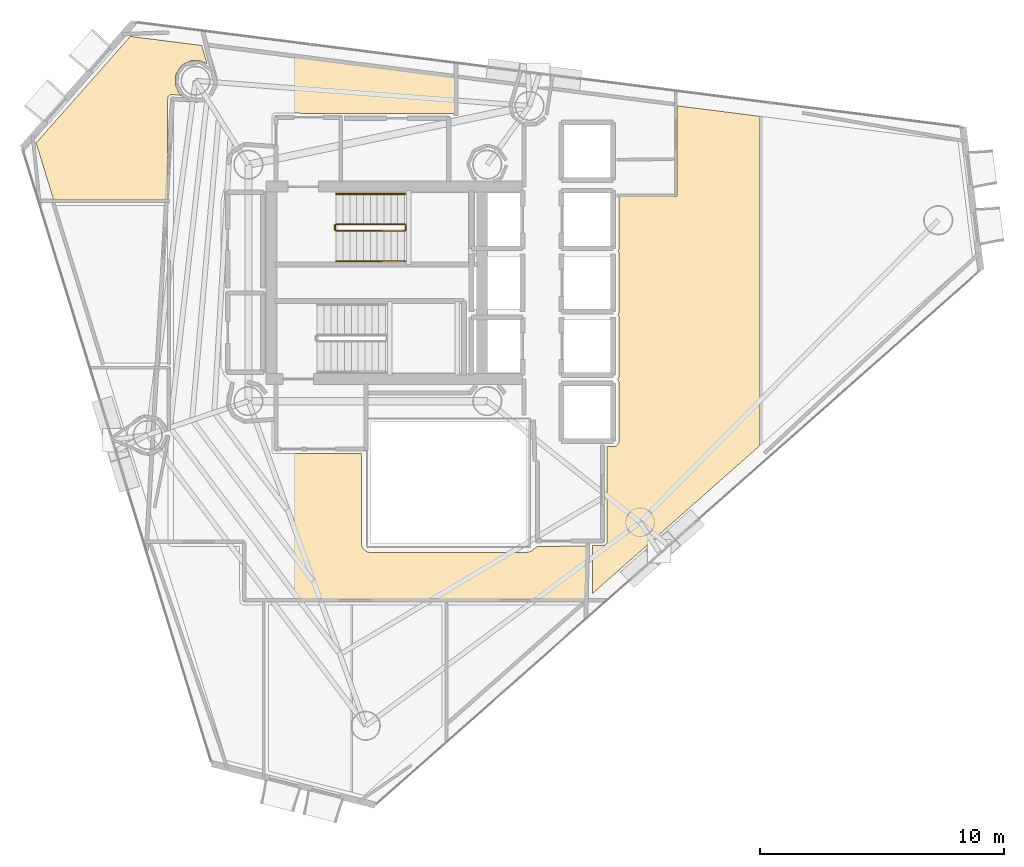
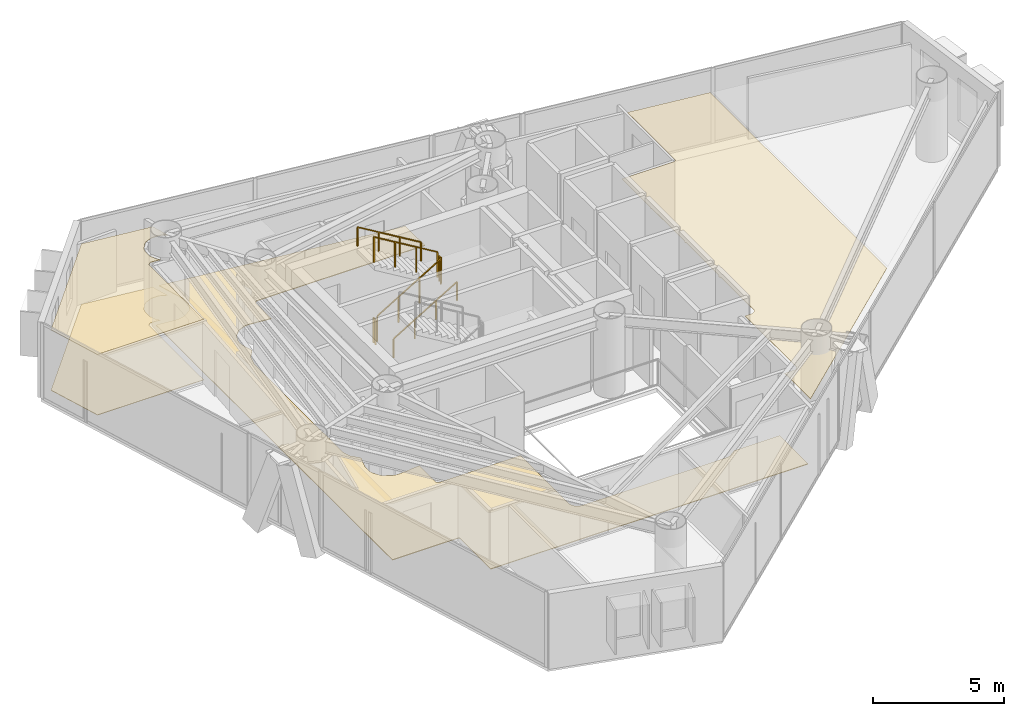
# One storey, part 22 of 23: 6 railings, 4 coverings.
"""IFC4 building model written with IfcOpenShell, lengths in metres."""

from ifc_helpers import new_model, si_unit, direction, frame, origin, origin_2d, place, context, subcontext, project, spatial, polyline, rectangle, outline, extrude, material, layer, layer_set, type_object, element, save


model = new_model("IFC4")

# Units and contexts
model_context = context("Model", 3, precision=1e-05, world=origin(), true_north=direction((0.0, 1.0)))
body_context = subcontext(model_context, "Body", "Model", "MODEL_VIEW")
ifc_project = project(units=[si_unit("LENGTHUNIT", "METRE"), si_unit("AREAUNIT", "SQUARE_METRE"), si_unit("VOLUMEUNIT", "CUBIC_METRE"), si_unit("PLANEANGLEUNIT", "RADIAN"), si_unit("MASSUNIT", "GRAM", prefix="KILO")], contexts=[model_context])

# Site, building, storey
site_placement = place(None, origin())
site = spatial("IfcSite", under=ifc_project, at=site_placement, CompositionType="ELEMENT")
building_placement = place(site_placement, origin())
building = spatial("IfcBuilding", under=site, at=building_placement, Name="Qianvela Tower", CompositionType="ELEMENT")
storey_placement = place(building_placement, frame((0.0, 0.0, 218.800048828125)))
storey = spatial("IfcBuildingStorey", under=building, at=storey_placement, Name="L56", CompositionType="ELEMENT", Elevation=218.800048828125)

# Coverings
ifc_material_1 = material(Name="Perforated Mineral Acoustic Ceiling Tile")
ifc_layer_1 = layer(ifc_material_1, 0.02490234375)
ifc_layer_set_1 = layer_set([ifc_layer_1], Name="Perforated Mineral Acoustic Ceiling Tile")
covering_type_1 = type_object("IfcCoveringType", Name="COV-CEIL-ACOUSTIC-25", PredefinedType="CEILING", material=ifc_layer_set_1)
covering_1_placement = place(storey_placement, frame((0.0, 0.0, 2.81494140625)))
element("IfcCovering", 1, at=covering_1_placement, inside=storey, type_object=covering_type_1, Name="L56 Acoustic Ceiling Bay 1 Quiet Desk Workspace L56-03", PredefinedType="CEILING", context=body_context, shape_type="SweptSolid", body=[
    extrude(outline(polyline([(43.780517578125, 24.81494140625), (43.784423828125, 24.821533203125), (43.787841796875, 24.82861328125), (43.79052734375, 24.8359375), (43.79248046875, 24.843505859375), (43.793701171875, 24.851318359375), (43.7939453125, 24.859130859375), (43.800048828125, 27.2998046875), (43.799560546875, 27.307861328125), (43.79833984375, 27.315673828125), (43.79638671875, 27.323486328125), (43.793701171875, 27.3310546875), (43.7646484375, 27.39990234375), (43.793701171875, 27.468994140625), (43.79638671875, 27.476318359375), (43.79833984375, 27.484130859375), (43.799560546875, 27.491943359375), (43.800048828125, 27.5), (43.800048828125, 29.89990234375), (43.799560546875, 29.907958984375), (43.79833984375, 29.915771484375), (43.79638671875, 29.923583984375), (43.793701171875, 29.93115234375), (43.7646484375, 30.0), (43.793701171875, 30.06884765625), (43.79638671875, 30.076416015625), (43.79833984375, 30.084228515625), (43.799560546875, 30.092041015625), (43.800048828125, 30.10009765625), (43.800048828125, 32.238037109375), (46.1044921875, 32.238037109375), (46.1123046875, 32.23828125), (46.1201171875, 32.239501953125), (46.127685546875, 32.241455078125), (46.135009765625, 32.244140625), (46.14208984375, 32.247314453125), (46.148681640625, 32.25146484375), (46.155029296875, 32.256103515625), (46.160888671875, 32.261474609375), (46.166259765625, 32.26708984375), (46.1708984375, 32.2734375), (46.1748046875, 32.2802734375), (46.17822265625, 32.287353515625), (46.180908203125, 32.294921875), (46.182861328125, 32.302490234375), (46.18408203125, 32.31005859375), (46.184326171875, 32.318115234375), (46.18603515625, 35.9638671875), (49.58544921875, 35.532470703125), (49.58544921875, 22.030029296875), (42.709716796875, 15.952880859375), (42.70751953125, 17.920166015625), (43.157958984375, 17.92041015625), (43.165771484375, 17.9208984375), (43.173583984375, 17.921875), (43.18115234375, 17.923828125), (43.1884765625, 17.926513671875), (43.195556640625, 17.9296875), (43.202392578125, 17.933837890625), (43.20849609375, 17.9384765625), (43.21435546875, 17.94384765625), (43.2861328125, 18.015625), (43.29150390625, 18.021484375), (43.296142578125, 18.027587890625), (43.30029296875, 18.034423828125), (43.303466796875, 18.04150390625), (43.30615234375, 18.048828125), (43.30810546875, 18.056640625), (43.30908203125, 18.064208984375), (43.3095703125, 18.072265625), (43.309326171875, 21.980712890625), (43.60791015625, 21.982666015625), (43.615478515625, 21.983154296875), (43.623291015625, 21.984375), (43.630859375, 21.986083984375), (43.637939453125, 21.98876953125), (43.64501953125, 21.9921875), (43.716796875, 22.030517578125), (43.723388671875, 22.034423828125), (43.729736328125, 22.039306640625), (43.735595703125, 22.04443359375), (43.74072265625, 22.05029296875), (43.74560546875, 22.056640625), (43.74951171875, 22.063232421875), (43.787841796875, 22.135009765625), (43.791259765625, 22.14208984375), (43.7939453125, 22.1494140625), (43.7958984375, 22.156982421875), (43.796875, 22.164794921875), (43.79736328125, 22.172607421875), (43.79931640625, 24.61376953125), (43.799072265625, 24.62060546875), (43.798095703125, 24.627685546875), (43.79638671875, 24.634765625), (43.79443359375, 24.641357421875), (43.79150390625, 24.64794921875), (43.751220703125, 24.733154296875), (43.74755859375, 24.739990234375), (43.743408203125, 24.74658203125), (43.738525390625, 24.752197265625), (43.780517578125, 24.81494140625)])), origin(), (0.0, 0.0, 1.0), 0.02490234375),
])
covering_2_placement = place(storey_placement, frame((0.0, 0.0, 2.81494140625)))
element("IfcCovering", 2, at=covering_2_placement, inside=storey, type_object=covering_type_1, Name="L56 Acoustic Ceiling Digital Research Office L56-05", PredefinedType="CEILING", context=body_context, shape_type="SweptSolid", body=[
    extrude(outline(polyline([(25.845947265625, 36.39013671875), (25.457763671875, 36.42822265625), (25.449951171875, 36.4287109375), (25.442138671875, 36.42822265625), (25.434326171875, 36.427001953125), (25.4267578125, 36.42529296875), (25.41943359375, 36.422607421875), (25.412353515625, 36.419189453125), (25.405517578125, 36.4150390625), (25.399169921875, 36.410400390625), (25.32080078125, 36.34619140625), (25.31494140625, 36.3408203125), (25.309814453125, 36.3349609375), (25.304931640625, 36.32861328125), (25.301025390625, 36.322021484375), (25.297607421875, 36.31494140625), (25.294921875, 36.3076171875), (25.293212890625, 36.2998046875), (25.2919921875, 36.2919921875), (25.29150390625, 36.2841796875), (25.2900390625, 32.1220703125), (20.6044921875, 32.1220703125), (19.890380859375, 34.440185546875), (23.756103515625, 38.810546875), (26.684814453125, 38.43896484375), (26.910888671875, 37.68017578125), (26.904052734375, 37.685791015625), (26.897705078125, 37.6904296875), (26.890869140625, 37.694580078125), (26.8837890625, 37.69775390625), (26.60986328125, 37.811279296875), (26.6025390625, 37.81396484375), (26.594970703125, 37.81591796875), (26.587158203125, 37.81689453125), (26.579345703125, 37.8173828125), (26.28271484375, 37.8173828125), (26.27490234375, 37.81689453125), (26.26708984375, 37.81591796875), (26.259521484375, 37.81396484375), (26.252197265625, 37.811279296875), (25.978271484375, 37.69775390625), (25.97119140625, 37.694580078125), (25.96435546875, 37.6904296875), (25.9580078125, 37.685791015625), (25.8427734375, 37.59130859375), (25.8369140625, 37.5859375), (25.831787109375, 37.580078125), (25.8271484375, 37.57373046875), (25.662353515625, 37.327392578125), (25.658203125, 37.320556640625), (25.65478515625, 37.3134765625), (25.65234375, 37.30615234375), (25.60888671875, 37.16357421875), (25.607177734375, 37.156005859375), (25.60595703125, 37.148193359375), (25.605712890625, 37.140380859375), (25.605712890625, 36.84375), (25.60595703125, 36.8359375), (25.607177734375, 36.828125), (25.60888671875, 36.820556640625), (25.61181640625, 36.81298828125), (25.72509765625, 36.539306640625), (25.728515625, 36.531982421875), (25.732666015625, 36.525390625), (25.7373046875, 36.51904296875), (25.831787109375, 36.40380859375), (25.8369140625, 36.39794921875), (25.8427734375, 36.392822265625), (25.845947265625, 36.39013671875)])), origin(), (0.0, 0.0, 1.0), 0.02490234375),
])
ifc_material_2 = material(Name="Engineered Acoustic Oak Timber Flooring", Category="wood")
ifc_layer_2 = layer(ifc_material_2, 0.02001953125)
ifc_layer_set_2 = layer_set([ifc_layer_2], Name="Engineered Acoustic Oak Timber Flooring")
covering_type_2 = type_object("IfcCoveringType", Name="COV-FLOOR-OAK-20", PredefinedType="FLOORING", material=ifc_layer_set_2)
covering_3_placement = place(storey_placement, origin())
element("IfcCovering", 3, at=covering_3_placement, inside=storey, type_object=covering_type_2, Name="L56 Finish Flooring Digital Research Office L56-05", PredefinedType="FLOORING", context=body_context, shape_type="SweptSolid", body=[
    extrude(outline(polyline([(25.845947265625, 36.39013671875), (25.457763671875, 36.42822265625), (25.449951171875, 36.4287109375), (25.442138671875, 36.42822265625), (25.434326171875, 36.427001953125), (25.4267578125, 36.42529296875), (25.41943359375, 36.422607421875), (25.412353515625, 36.419189453125), (25.405517578125, 36.4150390625), (25.399169921875, 36.410400390625), (25.32080078125, 36.34619140625), (25.31494140625, 36.3408203125), (25.309814453125, 36.3349609375), (25.304931640625, 36.32861328125), (25.301025390625, 36.322021484375), (25.297607421875, 36.31494140625), (25.294921875, 36.3076171875), (25.293212890625, 36.2998046875), (25.2919921875, 36.2919921875), (25.29150390625, 36.2841796875), (25.2900390625, 32.1220703125), (20.6044921875, 32.1220703125), (19.890380859375, 34.440185546875), (23.756103515625, 38.810546875), (26.684814453125, 38.43896484375), (26.910888671875, 37.68017578125), (26.904052734375, 37.685791015625), (26.897705078125, 37.6904296875), (26.890869140625, 37.694580078125), (26.8837890625, 37.69775390625), (26.60986328125, 37.811279296875), (26.6025390625, 37.81396484375), (26.594970703125, 37.81591796875), (26.587158203125, 37.81689453125), (26.579345703125, 37.8173828125), (26.28271484375, 37.8173828125), (26.27490234375, 37.81689453125), (26.26708984375, 37.81591796875), (26.259521484375, 37.81396484375), (26.252197265625, 37.811279296875), (25.978271484375, 37.69775390625), (25.97119140625, 37.694580078125), (25.96435546875, 37.6904296875), (25.9580078125, 37.685791015625), (25.8427734375, 37.59130859375), (25.8369140625, 37.5859375), (25.831787109375, 37.580078125), (25.8271484375, 37.57373046875), (25.662353515625, 37.327392578125), (25.658203125, 37.320556640625), (25.65478515625, 37.3134765625), (25.65234375, 37.30615234375), (25.60888671875, 37.16357421875), (25.607177734375, 37.156005859375), (25.60595703125, 37.148193359375), (25.605712890625, 37.140380859375), (25.605712890625, 36.84375), (25.60595703125, 36.8359375), (25.607177734375, 36.828125), (25.60888671875, 36.820556640625), (25.61181640625, 36.81298828125), (25.72509765625, 36.539306640625), (25.728515625, 36.531982421875), (25.732666015625, 36.525390625), (25.7373046875, 36.51904296875), (25.831787109375, 36.40380859375), (25.8369140625, 36.39794921875), (25.8427734375, 36.392822265625), (25.845947265625, 36.39013671875)])), origin(), (0.0, 0.0, 1.0), 0.02001953125),
])
ifc_material_3 = material(Name="Honed Stone Terrazzo Flooring", Category="masonry")
ifc_layer_3 = layer(ifc_material_3, 0.030029296875)
ifc_layer_set_3 = layer_set([ifc_layer_3], Name="Honed Stone Terrazzo Flooring")
covering_type_3 = type_object("IfcCoveringType", Name="COV-FLOOR-TERRAZZO-30", PredefinedType="FLOORING", material=ifc_layer_set_3)
covering_4_placement = place(storey_placement, origin())
element("IfcCovering", 4, at=covering_4_placement, inside=storey, type_object=covering_type_3, Name="L56 Finish Flooring L56 Floor Corridor", PredefinedType="FLOORING", context=body_context, shape_type="SweptSolid", body=[
    extrude(outline(polyline([(27.30908203125, 36.801513671875), (27.311767578125, 36.808837890625), (27.313720703125, 36.81640625), (27.31494140625, 36.82421875), (27.315185546875, 36.83203125), (27.315185546875, 37.152099609375), (27.31494140625, 37.159912109375), (27.313720703125, 37.16748046875), (27.311767578125, 37.17529296875), (26.938232421875, 38.40673828125), (37.070068359375, 37.120849609375), (37.070068359375, 35.64013671875), (29.68798828125, 35.660888671875), (29.680419921875, 35.660400390625), (29.672607421875, 35.6591796875), (29.664794921875, 35.657470703125), (29.657470703125, 35.65478515625), (29.650390625, 35.6513671875), (29.6435546875, 35.6474609375), (29.63720703125, 35.642578125), (29.63134765625, 35.637451171875), (29.626220703125, 35.631591796875), (29.576171875, 35.57080078125), (29.571533203125, 35.564453125), (29.5673828125, 35.5576171875), (29.564208984375, 35.550537109375), (29.561279296875, 35.543212890625), (29.5595703125, 35.53564453125), (29.558349609375, 35.52783203125), (29.55810546875, 35.52001953125), (29.55810546875, 34.35595703125), (28.60791015625, 34.44970703125), (28.60009765625, 34.449951171875), (28.59228515625, 34.44970703125), (28.43212890625, 34.433837890625), (28.42431640625, 34.4326171875), (28.416748046875, 34.430908203125), (28.409423828125, 34.42822265625), (28.11376953125, 34.3056640625), (28.106689453125, 34.302490234375), (28.10009765625, 34.29833984375), (28.09375, 34.293701171875), (28.087890625, 34.288330078125), (27.861572265625, 34.06201171875), (27.8564453125, 34.056396484375), (27.851806640625, 34.050048828125), (27.84765625, 34.043212890625), (27.84423828125, 34.0361328125), (27.7216796875, 33.740478515625), (27.71923828125, 33.733154296875), (27.71728515625, 33.7255859375), (27.716064453125, 33.7177734375), (27.700439453125, 33.557861328125), (27.699951171875, 33.550048828125), (27.700439453125, 33.542236328125), (27.716064453125, 33.382080078125), (27.71728515625, 33.37451171875), (27.71923828125, 33.36669921875), (27.865478515625, 32.884521484375), (27.60107421875, 32.52685546875), (27.5966796875, 32.5205078125), (27.593017578125, 32.513427734375), (27.590087890625, 32.50634765625), (27.587890625, 32.4990234375), (27.472412109375, 32.0458984375), (27.47119140625, 32.039306640625), (27.47021484375, 32.03271484375), (27.469970703125, 32.026123046875), (27.469970703125, 25.291259765625), (27.47021484375, 25.2841796875), (27.47119140625, 25.27734375), (27.47265625, 25.2705078125), (27.474853515625, 25.263916015625), (27.59326171875, 24.938232421875), (27.59619140625, 24.93115234375), (27.599853515625, 24.92431640625), (27.604248046875, 24.91796875), (27.609130859375, 24.911865234375), (27.89111328125, 24.599853515625), (27.71923828125, 24.033203125), (27.71728515625, 24.025634765625), (27.716064453125, 24.017822265625), (27.7158203125, 24.010009765625), (27.7158203125, 23.68994140625), (27.716064453125, 23.68212890625), (27.71728515625, 23.67431640625), (27.71923828125, 23.666748046875), (27.765869140625, 23.512939453125), (27.7685546875, 23.505615234375), (27.77197265625, 23.49853515625), (27.77587890625, 23.49169921875), (27.95361328125, 23.2255859375), (27.958251953125, 23.219482421875), (27.963623046875, 23.213623046875), (27.969482421875, 23.208251953125), (27.9755859375, 23.20361328125), (28.24169921875, 23.02587890625), (28.24853515625, 23.02197265625), (28.255615234375, 23.0185546875), (28.262939453125, 23.015869140625), (28.416748046875, 22.96923828125), (28.42431640625, 22.96728515625), (28.43212890625, 22.966064453125), (28.59228515625, 22.950439453125), (28.60009765625, 22.949951171875), (28.60791015625, 22.950439453125), (29.55810546875, 23.0439453125), (29.55810546875, 21.780029296875), (29.558349609375, 21.772216796875), (29.5595703125, 21.764404296875), (29.561279296875, 21.7568359375), (29.564208984375, 21.74951171875), (29.5673828125, 21.7421875), (29.571533203125, 21.735595703125), (29.576171875, 21.729248046875), (29.581298828125, 21.723388671875), (29.587158203125, 21.71826171875), (29.593505859375, 21.71337890625), (29.600341796875, 21.70947265625), (29.607421875, 21.7060546875), (29.61474609375, 21.703369140625), (29.622314453125, 21.701416015625), (29.630126953125, 21.700439453125), (29.637939453125, 21.699951171875), (33.239990234375, 21.699951171875), (33.239990234375, 18.0), (33.240478515625, 17.990234375), (33.242431640625, 17.980712890625), (33.275390625, 17.8486328125), (33.277587890625, 17.841796875), (33.2802734375, 17.8349609375), (33.283447265625, 17.82861328125), (33.287353515625, 17.822509765625), (33.29150390625, 17.81689453125), (33.29638671875, 17.811279296875), (33.411376953125, 17.696533203125), (33.41796875, 17.690673828125), (33.4248046875, 17.685791015625), (33.432373046875, 17.681396484375), (33.440185546875, 17.677978515625), (33.448486328125, 17.675537109375), (33.58056640625, 17.642333984375), (33.5869140625, 17.64111328125), (33.593505859375, 17.640380859375), (33.60009765625, 17.639892578125), (40.0, 17.639892578125), (40.006591796875, 17.640380859375), (40.012939453125, 17.64111328125), (40.019287109375, 17.642333984375), (40.1513671875, 17.675537109375), (40.15869140625, 17.677734375), (40.166015625, 17.6806640625), (40.172607421875, 17.68408203125), (40.17919921875, 17.6884765625), (40.45947265625, 17.89306640625), (42.469970703125, 17.899658203125), (42.469970703125, 15.740966796875), (42.45751953125, 15.72998046875), (28.47998046875, 15.72998046875), (28.47998046875, 18.050048828125), (28.4794921875, 18.057861328125), (28.478515625, 18.065673828125), (28.4765625, 18.0732421875), (28.473876953125, 18.08056640625), (28.470703125, 18.087646484375), (28.466552734375, 18.094482421875), (28.4619140625, 18.100830078125), (28.45654296875, 18.106689453125), (28.45068359375, 18.11181640625), (28.4443359375, 18.116455078125), (28.437744140625, 18.12060546875), (28.4306640625, 18.123779296875), (28.423095703125, 18.126708984375), (28.41552734375, 18.12841796875), (28.40771484375, 18.129638671875), (28.39990234375, 18.1298828125), (25.530029296875, 18.1298828125), (25.530029296875, 36.180419921875), (26.423095703125, 36.09228515625), (26.430908203125, 36.092041015625), (26.438720703125, 36.09228515625), (26.446533203125, 36.093505859375), (26.760498046875, 36.156005859375), (26.76806640625, 36.157958984375), (26.775390625, 36.160400390625), (26.782470703125, 36.163818359375), (26.789306640625, 36.16796875), (27.055419921875, 36.345703125), (27.0615234375, 36.350341796875), (27.0673828125, 36.355712890625), (27.07275390625, 36.361328125), (27.174560546875, 36.485595703125), (27.17919921875, 36.491943359375), (27.183349609375, 36.498779296875), (27.186767578125, 36.505859375), (27.30908203125, 36.801513671875)])), origin(), (0.0, 0.0, 1.0), 0.030029296875),
])

# Railings
ifc_material_4 = material(Name="Painted Tubular Steel Q355B", Category="steel")
railing_type_1 = type_object("IfcRailingType", Name="RL-STAIR-GUARD-1200", PredefinedType="GUARDRAIL", material=ifc_material_4)
railing_1_placement = place(storey_placement, frame((32.199951171875, 30.840087890625, 0.168212890625)))
element("IfcRailing", 5, at=railing_1_placement, inside=storey, type_object=railing_type_1, Name="L56 ST-1 stair guard 1", PredefinedType="GUARDRAIL", context=body_context, shape_type="SweptSolid", body=[
    extrude(rectangle(XDim=0.050048828125, YDim=0.0400390625, at=origin_2d()), frame((0.0, 0.0, 1.179931640625), z_axis=(0.857275202839, 0.0, 0.514858452973), x_axis=(0.0, 1.0, 0.0)), (0.0, 0.0, 1.0), 3.26611328125),
    extrude(rectangle(XDim=0.050048828125, YDim=0.050048828125, at=origin_2d()), origin(), (0.0, 0.0, 1.0), 1.159912109375),
    extrude(rectangle(XDim=0.050048828125, YDim=0.050048828125, at=origin_2d()), frame((0.933349609375, 0.0, 0.560546875)), (0.0, 0.0, 1.0), 1.159912109375),
    extrude(rectangle(XDim=0.050048828125, YDim=0.050048828125, at=origin_2d()), frame((1.86669921875, 0.0, 1.12109375)), (0.0, 0.0, 1.0), 1.159912109375),
    extrude(rectangle(XDim=0.050048828125, YDim=0.050048828125, at=origin_2d()), frame((2.800048828125, 0.0, 1.681640625)), (0.0, 0.0, 1.0), 1.159912109375),
])
railing_2_placement = place(storey_placement, frame((35.050048828125, 30.889892578125, 1.849853515625)))
element("IfcRailing", 6, at=railing_2_placement, inside=storey, type_object=railing_type_1, Name="L56 ST-1 stair guard 2", PredefinedType="GUARDRAIL", context=body_context, shape_type="SweptSolid", body=[
    extrude(rectangle(XDim=0.050048828125, YDim=0.0400390625, at=origin_2d()), frame((0.0, 0.0, 1.179931640625), z_axis=(0.0, 1.0, 0.0), x_axis=(-1.0, 0.0, 0.0)), (0.0, 0.0, 1.0), 0.16015625),
    extrude(rectangle(XDim=0.050048828125, YDim=0.050048828125, at=origin_2d()), origin(), (0.0, 0.0, 1.0), 1.159912109375),
    extrude(rectangle(XDim=0.050048828125, YDim=0.050048828125, at=origin_2d()), frame((0.0, 0.16015625, 0.0)), (0.0, 0.0, 1.0), 1.159912109375),
])
railing_3_placement = place(storey_placement, frame((35.0, 31.10009765625, 2.01806640625)))
element("IfcRailing", 7, at=railing_3_placement, inside=storey, type_object=railing_type_1, Name="L56 ST-1 stair guard 3", PredefinedType="GUARDRAIL", context=body_context, shape_type="SweptSolid", body=[
    extrude(rectangle(XDim=0.050048828125, YDim=0.0400390625, at=origin_2d()), frame((0.0, 0.0, 1.179931640625), z_axis=(-0.857242210791, 0.0, 0.514913383045), x_axis=(0.0, -1.0, 0.0)), (0.0, 0.0, 1.0), 3.266357421875),
    extrude(rectangle(XDim=0.050048828125, YDim=0.050048828125, at=origin_2d()), origin(), (0.0, 0.0, 1.0), 1.159912109375),
    extrude(rectangle(XDim=0.050048828125, YDim=0.050048828125, at=origin_2d()), frame((-0.933349609375, 0.0, 0.560546875)), (0.0, 0.0, 1.0), 1.159912109375),
    extrude(rectangle(XDim=0.050048828125, YDim=0.050048828125, at=origin_2d()), frame((-1.86669921875, 0.0, 1.121337890625)), (0.0, 0.0, 1.0), 1.159912109375),
    extrude(rectangle(XDim=0.050048828125, YDim=0.050048828125, at=origin_2d()), frame((-2.800048828125, 0.0, 1.681884765625)), (0.0, 0.0, 1.0), 1.159912109375),
])
railing_4_placement = place(storey_placement, frame((32.14990234375, 30.889892578125, 0.0)))
element("IfcRailing", 8, at=railing_4_placement, inside=storey, type_object=railing_type_1, Name="L56 ST-1 stair guard 4", PredefinedType="GUARDRAIL", context=body_context, shape_type="SweptSolid", body=[
    extrude(rectangle(XDim=0.050048828125, YDim=0.0400390625, at=origin_2d()), frame((0.0, 0.0, 1.179931640625), z_axis=(0.0, 1.0, 0.0), x_axis=(-1.0, 0.0, 0.0)), (0.0, 0.0, 1.0), 0.16015625),
    extrude(rectangle(XDim=0.050048828125, YDim=0.050048828125, at=origin_2d()), origin(), (0.0, 0.0, 1.0), 1.159912109375),
    extrude(rectangle(XDim=0.050048828125, YDim=0.050048828125, at=origin_2d()), frame((0.0, 0.16015625, 0.0)), (0.0, 0.0, 1.0), 1.159912109375),
])
ifc_material_5 = material(Name="Brushed Stainless Steel 304", Category="steel")
railing_type_2 = type_object("IfcRailingType", Name="RL-STAIR-HANDRAIL-900", PredefinedType="HANDRAIL", material=ifc_material_5)
railing_5_placement = place(storey_placement, frame((32.199951171875, 29.590087890625, 0.168212890625)))
element("IfcRailing", 9, at=railing_5_placement, inside=storey, type_object=railing_type_2, Name="L56 ST-1 stair handrail 1", PredefinedType="HANDRAIL", context=body_context, shape_type="SweptSolid", body=[
    extrude(rectangle(XDim=0.050048828125, YDim=0.0400390625, at=origin_2d()), frame((0.0, 0.0, 0.8798828125), z_axis=(0.857275202839, 0.0, 0.514858452973), x_axis=(0.0, 1.0, 0.0)), (0.0, 0.0, 1.0), 3.26611328125),
    extrude(rectangle(XDim=0.050048828125, YDim=0.050048828125, at=origin_2d()), origin(), (0.0, 0.0, 1.0), 0.85986328125),
    extrude(rectangle(XDim=0.050048828125, YDim=0.050048828125, at=origin_2d()), frame((0.933349609375, 0.0, 0.560546875)), (0.0, 0.0, 1.0), 0.85986328125),
    extrude(rectangle(XDim=0.050048828125, YDim=0.050048828125, at=origin_2d()), frame((1.86669921875, 0.0, 1.12109375)), (0.0, 0.0, 1.0), 0.85986328125),
    extrude(rectangle(XDim=0.050048828125, YDim=0.050048828125, at=origin_2d()), frame((2.800048828125, 0.0, 1.681640625)), (0.0, 0.0, 1.0), 0.85986328125),
])
railing_6_placement = place(storey_placement, frame((35.0, 32.35009765625, 2.01806640625)))
element("IfcRailing", 10, at=railing_6_placement, inside=storey, type_object=railing_type_2, Name="L56 ST-1 stair handrail 2", PredefinedType="HANDRAIL", context=body_context, shape_type="SweptSolid", body=[
    extrude(rectangle(XDim=0.050048828125, YDim=0.0400390625, at=origin_2d()), frame((0.0, 0.0, 0.8798828125), z_axis=(-0.857242210791, 0.0, 0.514913383045), x_axis=(0.0, -1.0, 0.0)), (0.0, 0.0, 1.0), 3.266357421875),
    extrude(rectangle(XDim=0.050048828125, YDim=0.050048828125, at=origin_2d()), origin(), (0.0, 0.0, 1.0), 0.85986328125),
    extrude(rectangle(XDim=0.050048828125, YDim=0.050048828125, at=origin_2d()), frame((-0.933349609375, 0.0, 0.560546875)), (0.0, 0.0, 1.0), 0.85986328125),
    extrude(rectangle(XDim=0.050048828125, YDim=0.050048828125, at=origin_2d()), frame((-1.86669921875, 0.0, 1.121337890625)), (0.0, 0.0, 1.0), 0.85986328125),
    extrude(rectangle(XDim=0.050048828125, YDim=0.050048828125, at=origin_2d()), frame((-2.800048828125, 0.0, 1.681884765625)), (0.0, 0.0, 1.0), 0.85986328125),
])

save(model, "model.ifc")
